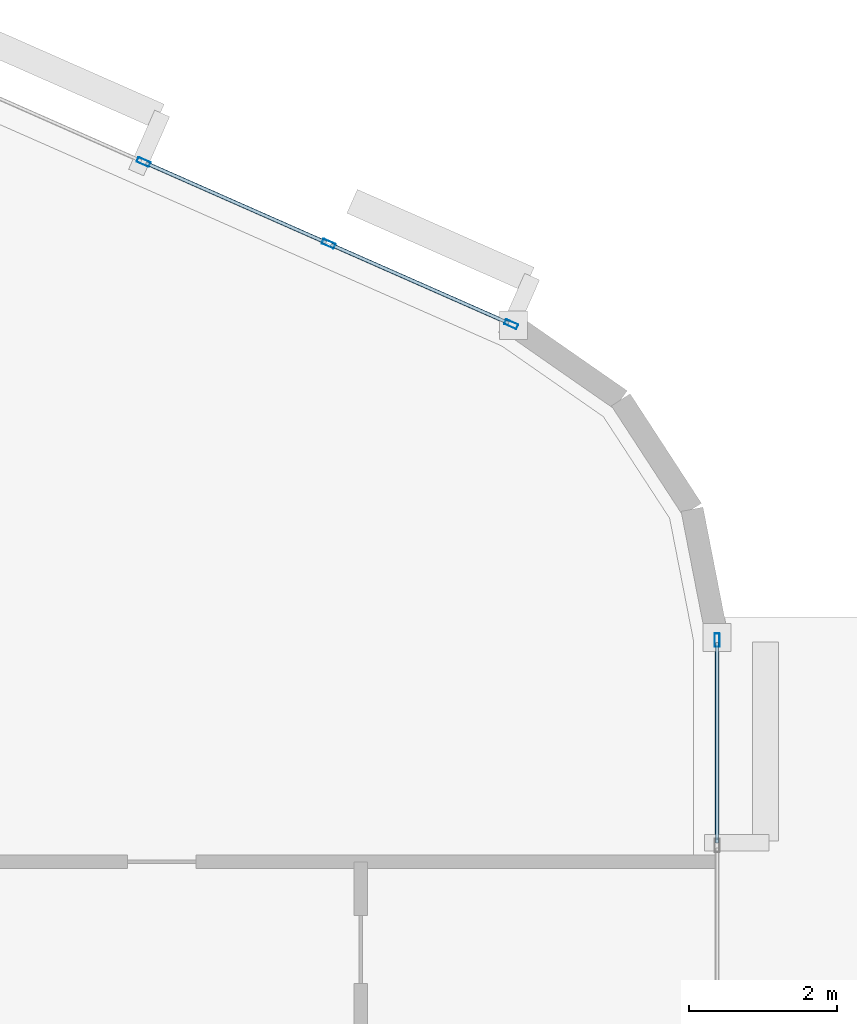
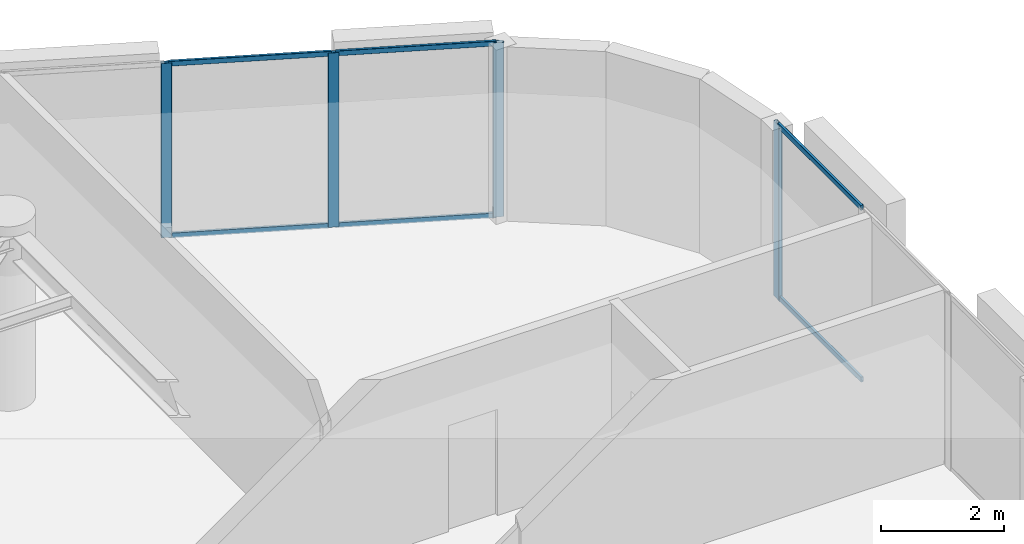
# One storey, part 6 of 14: 10 members, 2 elements without a shape of their own.
"""IFC4 building model written with IfcOpenShell, lengths in metres."""

from ifc_helpers import new_model, si_unit, direction, frame, origin, origin_2d, place, context, subcontext, project, spatial, hollow_rectangle, extrude, material, layer, layer_set, material_profile, profile_set, type_object, element, aggregate, save


model = new_model("IFC4")

# Units and contexts
model_context = context("Model", 3, precision=1e-05, world=origin(), true_north=direction((0.0, 1.0)))
body_context = subcontext(model_context, "Body", "Model", "MODEL_VIEW")
ifc_project = project(units=[si_unit("LENGTHUNIT", "METRE"), si_unit("AREAUNIT", "SQUARE_METRE"), si_unit("VOLUMEUNIT", "CUBIC_METRE"), si_unit("PLANEANGLEUNIT", "RADIAN"), si_unit("MASSUNIT", "GRAM", prefix="KILO")], contexts=[model_context])

# Site, building, storey
site_placement = place(None, origin())
site = spatial("IfcSite", under=ifc_project, at=site_placement, CompositionType="ELEMENT")
building_placement = place(site_placement, origin())
building = spatial("IfcBuilding", under=site, at=building_placement, Name="An Khanh Terracotta Commons", CompositionType="ELEMENT")
storey_placement = place(building_placement, frame((0.0, 0.0, 280.699951171875)))
storey = spatial("IfcBuildingStorey", under=building, at=storey_placement, Name="L73", CompositionType="ELEMENT", Elevation=280.699951171875)

# Curtain wall, member
ifc_material = material(Name="Anodised Aluminium 6063-T6", Category="aluminium")
ifc_layer = layer(ifc_material, 0.2099609375, Name="Anodised Aluminium 6063-T6")
ifc_layer_set = layer_set([ifc_layer], Name="Anodised Aluminium 6063-T6")
curtain_wall_type = type_object("IfcCurtainWallType", Name="CW-SYS-03", PredefinedType="USERDEFINED", material=ifc_layer_set)
curtain_wall_1_placement = place(storey_placement, origin())
curtain_wall_1 = element("IfcCurtainWall", 1, at=curtain_wall_1_placement, inside=storey, type_object=curtain_wall_type, Name="L73 CW-03 Unitised Curtain Wall CW-L73-12", ObjectType="UNITISED CURTAIN WALL", PredefinedType="USERDEFINED")
ifc_material_profile_1 = material_profile(ifc_material, hollow_rectangle(XDim=0.070068359375, YDim=0.179931640625, WallThickness=0.00390625, InnerFilletRadius=0.00390625, OuterFilletRadius=0.008056640625, at=origin_2d()), Name="RHS180x70x4")
ifc_profile_set_1 = profile_set([ifc_material_profile_1], Name="Anodised Aluminium 6063-T6")
member_type_1 = type_object("IfcMemberType", Name="CWM-RHS180x70x4", PredefinedType="MULLION", material=ifc_profile_set_1)
member_1_placement = place(storey_placement, frame((75.60009765625, 28.1669921875, 0.0), z_axis=(0.0, 0.0, 1.0), x_axis=(-1.0, 0.0, 0.0)))
member_1 = element("IfcMember", 2, at=member_1_placement, type_object=member_type_1, Name="CW-03 mullion 4", PredefinedType="MULLION", context=body_context, shape_type="SweptSolid", body=[
    extrude(hollow_rectangle(XDim=0.070068359375, YDim=0.179931640625, WallThickness=0.00390625, InnerFilletRadius=0.00390625, OuterFilletRadius=0.008056640625, at=origin_2d()), origin(), (0.0, 0.0, 1.0), 3.449951171875),
])

# Curtain wall, members
curtain_wall_2_placement = place(storey_placement, origin())
curtain_wall_2 = element("IfcCurtainWall", 3, at=curtain_wall_2_placement, inside=storey, type_object=curtain_wall_type, Name="L73 CW-03 Unitised Curtain Wall CW-L73-16", ObjectType="UNITISED CURTAIN WALL", PredefinedType="USERDEFINED")
member_2_placement = place(storey_placement, frame((72.824951171875, 32.424072265625, 0.0), z_axis=(0.0, 0.0, 1.0), x_axis=(-0.403676354285, -0.914901853201, 0.0)))
member_2 = element("IfcMember", 4, at=member_2_placement, type_object=member_type_1, Name="CW-03 mullion 1", PredefinedType="MULLION", context=body_context, shape_type="SweptSolid", body=[
    extrude(hollow_rectangle(XDim=0.070068359375, YDim=0.179931640625, WallThickness=0.00390625, InnerFilletRadius=0.00390625, OuterFilletRadius=0.008056640625, at=origin_2d()), origin(), (0.0, 0.0, 1.0), 3.449951171875),
])
member_3_placement = place(storey_placement, frame((70.364501953125, 33.509765625, 0.0), z_axis=(0.0, 0.0, 1.0), x_axis=(-0.403676354285, -0.914901853201, 0.0)))
member_3 = element("IfcMember", 5, at=member_3_placement, type_object=member_type_1, Name="CW-03 mullion 2", PredefinedType="MULLION", context=body_context, shape_type="SweptSolid", body=[
    extrude(hollow_rectangle(XDim=0.070068359375, YDim=0.179931640625, WallThickness=0.00390625, InnerFilletRadius=0.00390625, OuterFilletRadius=0.008056640625, at=origin_2d()), origin(), (0.0, 0.0, 1.0), 3.449951171875),
])
member_4_placement = place(storey_placement, frame((67.8720703125, 34.609619140625, 0.0), z_axis=(0.0, 0.0, 1.0), x_axis=(-0.403676354285, -0.914901853201, 0.0)))
member_4 = element("IfcMember", 6, at=member_4_placement, type_object=member_type_1, Name="CW-03 mullion 3", PredefinedType="MULLION", context=body_context, shape_type="SweptSolid", body=[
    extrude(hollow_rectangle(XDim=0.070068359375, YDim=0.179931640625, WallThickness=0.00390625, InnerFilletRadius=0.00390625, OuterFilletRadius=0.008056640625, at=origin_2d()), origin(), (0.0, 0.0, 1.0), 3.449951171875),
])

# Member
ifc_material_profile_2 = material_profile(ifc_material, hollow_rectangle(XDim=0.050048828125, YDim=0.10009765625, WallThickness=0.003173828125, InnerFilletRadius=0.003173828125, OuterFilletRadius=0.00634765625, at=origin_2d()), Name="RHS100x50x3.2")
ifc_profile_set_2 = profile_set([ifc_material_profile_2], Name="Anodised Aluminium 6063-T6")
member_type_2 = type_object("IfcMemberType", Name="CWT-RHS100x50x3.2", PredefinedType="USERDEFINED", material=ifc_profile_set_2)
member_5_placement = place(storey_placement, frame((75.60009765625, 25.435546875, 0.025146484375), z_axis=(0.0, 1.0, 0.0), x_axis=(-1.0, 0.0, 0.0)))
member_5 = element("IfcMember", 7, at=member_5_placement, type_object=member_type_2, Name="CW-03 transom 3.1", ObjectType="TRANSOM", PredefinedType="USERDEFINED", context=body_context, shape_type="SweptSolid", body=[
    extrude(hollow_rectangle(XDim=0.050048828125, YDim=0.10009765625, WallThickness=0.003173828125, InnerFilletRadius=0.003173828125, OuterFilletRadius=0.00634765625, at=origin_2d()), origin(), (0.0, 0.0, 1.0), 2.696533203125),
])

member_6_placement = place(storey_placement, frame((75.60009765625, 25.435546875, 3.425048828125), z_axis=(0.0, 1.0, 0.0), x_axis=(-1.0, 0.0, 0.0)))
member_6 = element("IfcMember", 8, at=member_6_placement, type_object=member_type_2, Name="CW-03 transom 3.2", ObjectType="TRANSOM", PredefinedType="USERDEFINED", context=body_context, shape_type="SweptSolid", body=[
    extrude(hollow_rectangle(XDim=0.050048828125, YDim=0.10009765625, WallThickness=0.003173828125, InnerFilletRadius=0.003173828125, OuterFilletRadius=0.00634765625, at=origin_2d()), origin(), (0.0, 0.0, 1.0), 2.696533203125),
])

aggregate(curtain_wall_1, [member_1, member_5, member_6])

member_7_placement = place(storey_placement, frame((72.79296875, 32.438232421875, 0.025146484375), z_axis=(-0.914903627858, 0.403672332137, 0.0), x_axis=(-0.403672332137, -0.914903627858, 0.0)))
member_7 = element("IfcMember", 9, at=member_7_placement, type_object=member_type_2, Name="CW-03 transom 1.1", ObjectType="TRANSOM", PredefinedType="USERDEFINED", context=body_context, shape_type="SweptSolid", body=[
    extrude(hollow_rectangle(XDim=0.050048828125, YDim=0.10009765625, WallThickness=0.003173828125, InnerFilletRadius=0.003173828125, OuterFilletRadius=0.00634765625, at=origin_2d()), origin(), (0.0, 0.0, 1.0), 2.619384765625),
])

member_8_placement = place(storey_placement, frame((72.79296875, 32.438232421875, 3.425048828125), z_axis=(-0.914903627858, 0.403672332137, 0.0), x_axis=(-0.403672332137, -0.914903627858, 0.0)))
member_8 = element("IfcMember", 10, at=member_8_placement, type_object=member_type_2, Name="CW-03 transom 1.2", ObjectType="TRANSOM", PredefinedType="USERDEFINED", context=body_context, shape_type="SweptSolid", body=[
    extrude(hollow_rectangle(XDim=0.050048828125, YDim=0.10009765625, WallThickness=0.003173828125, InnerFilletRadius=0.003173828125, OuterFilletRadius=0.00634765625, at=origin_2d()), origin(), (0.0, 0.0, 1.0), 2.619384765625),
])

member_9_placement = place(storey_placement, frame((70.33251953125, 33.52392578125, 0.025146484375), z_axis=(-0.914896820753, 0.403687759755, 0.0), x_axis=(-0.403687759755, -0.914896820753, 0.0)))
member_9 = element("IfcMember", 11, at=member_9_placement, type_object=member_type_2, Name="CW-03 transom 2.1", ObjectType="TRANSOM", PredefinedType="USERDEFINED", context=body_context, shape_type="SweptSolid", body=[
    extrude(hollow_rectangle(XDim=0.050048828125, YDim=0.10009765625, WallThickness=0.003173828125, InnerFilletRadius=0.003173828125, OuterFilletRadius=0.00634765625, at=origin_2d()), origin(), (0.0, 0.0, 1.0), 2.654296875),
])

member_10_placement = place(storey_placement, frame((70.33251953125, 33.52392578125, 3.425048828125), z_axis=(-0.914896820753, 0.403687759755, 0.0), x_axis=(-0.403687759755, -0.914896820753, 0.0)))
member_10 = element("IfcMember", 12, at=member_10_placement, type_object=member_type_2, Name="CW-03 transom 2.2", ObjectType="TRANSOM", PredefinedType="USERDEFINED", context=body_context, shape_type="SweptSolid", body=[
    extrude(hollow_rectangle(XDim=0.050048828125, YDim=0.10009765625, WallThickness=0.003173828125, InnerFilletRadius=0.003173828125, OuterFilletRadius=0.00634765625, at=origin_2d()), origin(), (0.0, 0.0, 1.0), 2.654296875),
])

aggregate(curtain_wall_2, [member_2, member_3, member_4, member_7, member_8, member_9, member_10])

save(model, "model.ifc")
